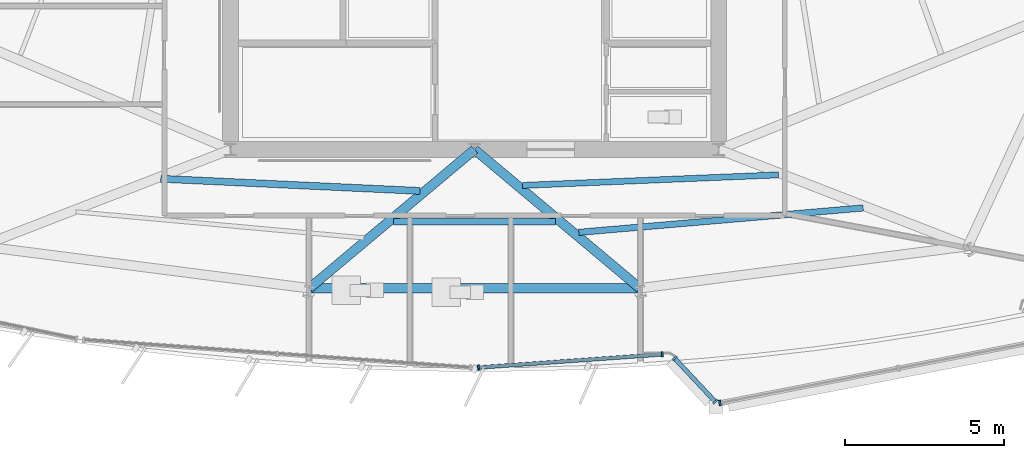
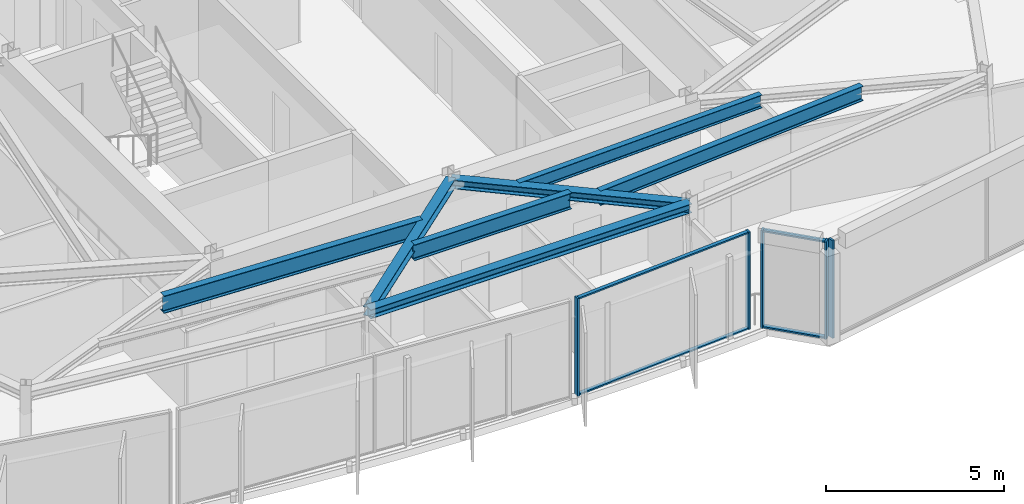
# One storey, part 3 of 13: 9 members, 7 beams, 3 elements without a shape of their own.
"""IFC4 building model written with IfcOpenShell, lengths in metres."""

from ifc_helpers import new_model, si_unit, direction, frame, origin, origin_2d, place, context, subcontext, project, spatial, rectangle, i_section, extrude, material, material_profile, profile_set, type_object, element, aggregate, save


model = new_model("IFC4")

# Units and contexts
model_context = context("Model", 3, precision=1e-05, world=origin(), true_north=direction((0.0, 1.0)))
body_context = subcontext(model_context, "Body", "Model", "MODEL_VIEW")
ifc_project = project(units=[si_unit("LENGTHUNIT", "METRE"), si_unit("AREAUNIT", "SQUARE_METRE"), si_unit("VOLUMEUNIT", "CUBIC_METRE"), si_unit("PLANEANGLEUNIT", "RADIAN"), si_unit("MASSUNIT", "GRAM", prefix="KILO")], contexts=[model_context])

# Site, building, storey
site_placement = place(None, origin())
site = spatial("IfcSite", under=ifc_project, at=site_placement, CompositionType="ELEMENT")
building_placement = place(site_placement, origin())
building = spatial("IfcBuilding", under=site, at=building_placement, Name="Savorim Split Tower", CompositionType="ELEMENT")
storey_placement = place(building_placement, frame((0.0, 0.0, 265.199951171875)))
storey = spatial("IfcBuildingStorey", under=building, at=storey_placement, Name="L70", CompositionType="ELEMENT", Elevation=265.199951171875)

# Beams
ifc_material_1 = material(Name="Steel S355", Category="steel")
ifc_material_profile_1 = material_profile(ifc_material_1, i_section(OverallWidth=0.18994140625, OverallDepth=0.449951171875, WebThickness=0.009521484375, FlangeThickness=0.0146484375, FilletRadius=0.02099609375, at=origin_2d()), Name="IPE 450")
ifc_profile_set_1 = profile_set([ifc_material_profile_1], Name="Steel S355")
beam_type_1 = type_object("IfcBeamType", Name="BM-JST-IPE450", PredefinedType="JOIST", material=ifc_profile_set_1)
beam_1_placement = place(storey_placement, frame((1.515625, -10.531005859375, 3.125), z_axis=(0.999152872265, 0.041152616486, 0.0), x_axis=(-0.041152616486, 0.999152872265, 0.0)))
element("IfcBeam", 1, at=beam_1_placement, inside=storey, type_object=beam_type_1, Name="L70 Secondary Floor Joist JS-05", PredefinedType="JOIST", context=body_context, shape_type="SweptSolid", body=[
    extrude(i_section(OverallWidth=0.18994140625, OverallDepth=0.449951171875, WebThickness=0.009521484375, FlangeThickness=0.0146484375, FilletRadius=0.02099609375, at=origin_2d()), origin(), (0.0, 0.0, 1.0), 8.07421875),
])
ifc_material_profile_2 = material_profile(ifc_material_1, i_section(OverallWidth=0.199951171875, OverallDepth=0.5, WebThickness=0.01025390625, FlangeThickness=0.01611328125, FilletRadius=0.02099609375, at=origin_2d()), Name="IPE 500")
ifc_profile_set_2 = profile_set([ifc_material_profile_2], Name="Steel S355")
beam_type_2 = type_object("IfcBeamType", Name="BM-JST-IPE500", PredefinedType="JOIST", material=ifc_profile_set_2)
beam_2_placement = place(storey_placement, frame((3.287841796875, -12.011474609375, 3.10009765625), z_axis=(0.996338070974, 0.085501159807, 0.0), x_axis=(-0.085501159807, 0.996338070974, 0.0)))
element("IfcBeam", 2, at=beam_2_placement, inside=storey, type_object=beam_type_2, Name="L70 Secondary Floor Joist JS-04", PredefinedType="JOIST", context=body_context, shape_type="SweptSolid", body=[
    extrude(i_section(OverallWidth=0.199951171875, OverallDepth=0.5, WebThickness=0.01025390625, FlangeThickness=0.01611328125, FilletRadius=0.02099609375, at=origin_2d()), origin(), (0.0, 0.0, 1.0), 9.000244140625),
])
ifc_material_profile_3 = material_profile(ifc_material_1, i_section(OverallWidth=0.2099609375, OverallDepth=0.550048828125, WebThickness=0.010986328125, FlangeThickness=0.01708984375, FilletRadius=0.02392578125, at=origin_2d()), Name="IPE 550")
ifc_profile_set_3 = profile_set([ifc_material_profile_3], Name="Steel S355")
beam_type_3 = type_object("IfcBeamType", Name="BM-JST-IPE550", PredefinedType="JOIST", material=ifc_profile_set_3)
beam_3_placement = place(storey_placement, frame((-2.55126953125, -11.675048828125, 3.074951171875), z_axis=(1.0, 0.0, 0.0), x_axis=(0.0, 1.0, 0.0)))
element("IfcBeam", 3, at=beam_3_placement, inside=storey, type_object=beam_type_3, Name="L70 Secondary Floor Joist JS-03", PredefinedType="JOIST", context=body_context, shape_type="SweptSolid", body=[
    extrude(i_section(OverallWidth=0.2099609375, OverallDepth=0.550048828125, WebThickness=0.010986328125, FlangeThickness=0.01708984375, FilletRadius=0.02392578125, at=origin_2d()), origin(), (0.0, 0.0, 1.0), 5.1025390625),
])
ifc_material_profile_4 = material_profile(ifc_material_1, i_section(OverallWidth=0.219970703125, OverallDepth=0.60009765625, WebThickness=0.011962890625, FlangeThickness=0.01904296875, FilletRadius=0.02392578125, at=origin_2d()), Name="IPE 600")
ifc_profile_set_4 = profile_set([ifc_material_profile_4], Name="Steel S355")
beam_type_4 = type_object("IfcBeamType", Name="BM-JST-IPE600", PredefinedType="JOIST", material=ifc_profile_set_4)
beam_4_placement = place(storey_placement, frame((-9.8974609375, -10.321533203125, 3.050048828125), z_axis=(0.998900774427, -0.046874757053, 0.0), x_axis=(0.046874757053, 0.998900774427, 0.0)))
element("IfcBeam", 4, at=beam_4_placement, inside=storey, type_object=beam_type_4, Name="L70 Secondary Floor Joist JS-02", PredefinedType="JOIST", context=body_context, shape_type="SweptSolid", body=[
    extrude(i_section(OverallWidth=0.219970703125, OverallDepth=0.60009765625, WebThickness=0.011962890625, FlangeThickness=0.01904296875, FilletRadius=0.02392578125, at=origin_2d()), origin(), (0.0, 0.0, 1.0), 8.182373046875),
])
ifc_material_profile_5 = material_profile(ifc_material_1, i_section(OverallWidth=0.300048828125, OverallDepth=0.300048828125, WebThickness=0.010986328125, FlangeThickness=0.01904296875, FilletRadius=0.027099609375, at=origin_2d()), Name="HEB 300")
ifc_profile_set_5 = profile_set([ifc_material_profile_5], Name="Steel S355")
beam_type_5 = type_object("IfcBeamType", Name="BM-PRI-HEB300", PredefinedType="BEAM", material=ifc_profile_set_5)
for number, where, z_axis, x_axis, name in (
    (5, (-5.214111328125, -13.775146484375, 3.199951171875), (0.766038276037, 0.642794959257, 0.0), (-0.642794959257, 0.766038276037, 0.0), "L70 Primary Floor Girder RG-02"),
    (6, (5.214111328125, -13.775146484375, 3.199951171875), (-0.766038276037, 0.642794959257, 0.0), (-0.642794959257, -0.766038276037, 0.0), "L70 Primary Floor Girder RG-03"),
):
    element("IfcBeam", number, at=place(storey_placement, frame(where, z_axis=z_axis, x_axis=x_axis)), inside=storey, type_object=beam_type_5, Name=name, PredefinedType="BEAM", context=body_context, shape_type="SweptSolid", body=[
        extrude(i_section(OverallWidth=0.300048828125, OverallDepth=0.300048828125, WebThickness=0.010986328125, FlangeThickness=0.01904296875, FilletRadius=0.027099609375, at=origin_2d()), origin(), (0.0, 0.0, 1.0), 6.806640625),
    ])
ifc_material_profile_6 = material_profile(ifc_material_1, i_section(OverallWidth=0.300048828125, OverallDepth=0.31005859375, WebThickness=0.009033203125, FlangeThickness=0.015380859375, FilletRadius=0.027099609375, at=origin_2d()), Name="HEA 320")
ifc_profile_set_6 = profile_set([ifc_material_profile_6], Name="Steel S355")
beam_type_6 = type_object("IfcBeamType", Name="BM-SPN-HEA320", PredefinedType="SPANDREL", material=ifc_profile_set_6)
beam_5_placement = place(storey_placement, frame((-5.214111328125, -13.775146484375, 3.195068359375), z_axis=(1.0, 0.0, 0.0), x_axis=(0.0, 1.0, 0.0)))
element("IfcBeam", 7, at=beam_5_placement, inside=storey, type_object=beam_type_6, Name="L70 Perimeter Spandrel Beam 2", PredefinedType="SPANDREL", context=body_context, shape_type="SweptSolid", body=[
    extrude(i_section(OverallWidth=0.300048828125, OverallDepth=0.31005859375, WebThickness=0.009033203125, FlangeThickness=0.015380859375, FilletRadius=0.027099609375, at=origin_2d()), origin(), (0.0, 0.0, 1.0), 10.42822265625),
])

# Curtain wall, members
ifc_material_2 = material(Name="Dark Ceramic-Fritted Insulated Glass", Category="glass")
curtain_wall_type_1 = type_object("IfcCurtainWallType", Name="CW-TWR-FRIT-B", PredefinedType="NOTDEFINED", material=ifc_material_2)
curtain_wall_1_placement = place(storey_placement, origin())
curtain_wall_1 = element("IfcCurtainWall", 8, at=curtain_wall_1_placement, inside=storey, type_object=curtain_wall_type_1, Name="L70 Curtain Wall CW-L70-SF3A", PredefinedType="NOTDEFINED")
ifc_material_3 = material(Name="Charcoal Anodised Aluminium", Category="aluminium")
ifc_material_profile_7 = material_profile(ifc_material_3, rectangle(XDim=0.159912109375, YDim=0.06005859375, at=origin_2d()), Name="ALU-M 160x60")
ifc_profile_set_7 = profile_set([ifc_material_profile_7], Name="Charcoal Anodised Aluminium")
member_type_1 = type_object("IfcMemberType", Name="CWM-160x60", PredefinedType="MULLION", material=ifc_profile_set_7)
member_1_placement = place(storey_placement, frame((0.12109375, -16.274169921875, 0.0), z_axis=(0.0, 0.0, 1.0), x_axis=(-0.071571445854, 0.997435475677, 0.0)))
member_1 = element("IfcMember", 9, at=member_1_placement, type_object=member_type_1, Name="CW-03 mullion 1", PredefinedType="MULLION", context=body_context, shape_type="SweptSolid", body=[
    extrude(rectangle(XDim=0.159912109375, YDim=0.06005859375, at=origin_2d()), origin(), (0.0, 0.0, 1.0), 3.35009765625),
])
member_2_placement = place(storey_placement, frame((5.917236328125, -15.8583984375, 0.0), z_axis=(0.0, 0.0, 1.0), x_axis=(-0.071571445854, 0.997435475677, 0.0)))
member_2 = element("IfcMember", 10, at=member_2_placement, type_object=member_type_1, Name="CW-03 mullion 2", PredefinedType="MULLION", context=body_context, shape_type="SweptSolid", body=[
    extrude(rectangle(XDim=0.159912109375, YDim=0.06005859375, at=origin_2d()), origin(), (0.0, 0.0, 1.0), 3.35009765625),
])

# Curtain wall, member
curtain_wall_type_2 = type_object("IfcCurtainWallType", Name="CW-BAY-LOUNGE", PredefinedType="NOTDEFINED", material=ifc_material_2)
curtain_wall_2_placement = place(storey_placement, origin())
curtain_wall_2 = element("IfcCurtainWall", 11, at=curtain_wall_2_placement, inside=storey, type_object=curtain_wall_type_2, Name="L70 Curtain Wall CW-L70-BAYF", PredefinedType="NOTDEFINED")
ifc_material_profile_8 = material_profile(ifc_material_3, rectangle(XDim=0.179931640625, YDim=0.06494140625, at=origin_2d()), Name="ALU-M 180x65")
ifc_profile_set_8 = profile_set([ifc_material_profile_8], Name="Charcoal Anodised Aluminium")
member_type_2 = type_object("IfcMemberType", Name="CWM-180x65", PredefinedType="MULLION", material=ifc_profile_set_8)
member_3_placement = place(storey_placement, frame((7.738525390625, -17.39013671875, 0.0), z_axis=(0.0, 0.0, 1.0), x_axis=(-0.190519987082, 0.98168331682, 0.0)))
member_3 = element("IfcMember", 12, at=member_3_placement, type_object=member_type_2, Name="CW-04 mullion 1", PredefinedType="MULLION", context=body_context, shape_type="SweptSolid", body=[
    extrude(rectangle(XDim=0.179931640625, YDim=0.06494140625, at=origin_2d()), origin(), (0.0, 0.0, 1.0), 3.35009765625),
])
aggregate(curtain_wall_2, [member_3])

# Curtain wall, members
curtain_wall_3_placement = place(storey_placement, origin())
curtain_wall_3 = element("IfcCurtainWall", 13, at=curtain_wall_3_placement, inside=storey, type_object=curtain_wall_type_2, Name="L70 Curtain Wall CW-L70-BAYW", PredefinedType="NOTDEFINED")
member_4_placement = place(storey_placement, frame((6.307861328125, -15.984130859375, 0.0), z_axis=(0.0, 0.0, 1.0), x_axis=(0.729622392738, 0.6838502497, 0.0)))
member_4 = element("IfcMember", 14, at=member_4_placement, type_object=member_type_2, Name="CW-04 mullion 1", PredefinedType="MULLION", context=body_context, shape_type="SweptSolid", body=[
    extrude(rectangle(XDim=0.179931640625, YDim=0.06494140625, at=origin_2d()), origin(), (0.0, 0.0, 1.0), 3.35009765625),
])
member_5_placement = place(storey_placement, frame((7.590087890625, -17.352294921875, 0.0), z_axis=(0.0, 0.0, 1.0), x_axis=(0.729622392738, 0.6838502497, 0.0)))
member_5 = element("IfcMember", 15, at=member_5_placement, type_object=member_type_2, Name="CW-04 mullion 2", PredefinedType="MULLION", context=body_context, shape_type="SweptSolid", body=[
    extrude(rectangle(XDim=0.179931640625, YDim=0.06494140625, at=origin_2d()), origin(), (0.0, 0.0, 1.0), 3.35009765625),
])

# Member
ifc_material_profile_9 = material_profile(ifc_material_3, rectangle(XDim=0.1201171875, YDim=0.050048828125, at=origin_2d()), Name="ALU-T 120x50")
ifc_profile_set_9 = profile_set([ifc_material_profile_9], Name="Charcoal Anodised Aluminium")
member_type_3 = type_object("IfcMemberType", Name="CWT-120x50", PredefinedType="USERDEFINED", material=ifc_profile_set_9)
member_6_placement = place(storey_placement, frame((0.151123046875, -16.272216796875, 0.025146484375), z_axis=(0.997435373831, 0.07157286518, 0.0), x_axis=(-0.07157286518, 0.997435373831, 0.0)))
member_6 = element("IfcMember", 16, at=member_6_placement, type_object=member_type_3, Name="CW-03 transom 1.1", ObjectType="TRANSOM", PredefinedType="USERDEFINED", context=body_context, shape_type="SweptSolid", body=[
    extrude(rectangle(XDim=0.1201171875, YDim=0.050048828125, at=origin_2d()), origin(), (0.0, 0.0, 1.0), 5.7509765625),
])

member_7_placement = place(storey_placement, frame((0.151123046875, -16.272216796875, 3.324951171875), z_axis=(0.997435373831, 0.07157286518, 0.0), x_axis=(-0.07157286518, 0.997435373831, 0.0)))
member_7 = element("IfcMember", 17, at=member_7_placement, type_object=member_type_3, Name="CW-03 transom 1.2", ObjectType="TRANSOM", PredefinedType="USERDEFINED", context=body_context, shape_type="SweptSolid", body=[
    extrude(rectangle(XDim=0.1201171875, YDim=0.050048828125, at=origin_2d()), origin(), (0.0, 0.0, 1.0), 5.7509765625),
])

aggregate(curtain_wall_1, [member_1, member_2, member_6, member_7])

ifc_material_profile_10 = material_profile(ifc_material_3, rectangle(XDim=0.139892578125, YDim=0.054931640625, at=origin_2d()), Name="ALU-T 140x55")
ifc_profile_set_10 = profile_set([ifc_material_profile_10], Name="Charcoal Anodised Aluminium")
member_type_4 = type_object("IfcMemberType", Name="CWT-140x55", PredefinedType="USERDEFINED", material=ifc_profile_set_10)
member_8_placement = place(storey_placement, frame((6.330078125, -16.0078125, 0.027587890625), z_axis=(0.683806524561, -0.729663372362, 0.0), x_axis=(0.729663372362, 0.683806524561, 0.0)))
member_8 = element("IfcMember", 18, at=member_8_placement, type_object=member_type_4, Name="CW-04 transom 1.1", ObjectType="TRANSOM", PredefinedType="USERDEFINED", context=body_context, shape_type="SweptSolid", body=[
    extrude(rectangle(XDim=0.139892578125, YDim=0.054931640625, at=origin_2d()), origin(), (0.0, 0.0, 1.0), 1.81005859375),
])

member_9_placement = place(storey_placement, frame((6.330078125, -16.0078125, 3.322509765625), z_axis=(0.683806524561, -0.729663372362, 0.0), x_axis=(0.729663372362, 0.683806524561, 0.0)))
member_9 = element("IfcMember", 19, at=member_9_placement, type_object=member_type_4, Name="CW-04 transom 1.2", ObjectType="TRANSOM", PredefinedType="USERDEFINED", context=body_context, shape_type="SweptSolid", body=[
    extrude(rectangle(XDim=0.139892578125, YDim=0.054931640625, at=origin_2d()), origin(), (0.0, 0.0, 1.0), 1.81005859375),
])

aggregate(curtain_wall_3, [member_4, member_5, member_8, member_9])

save(model, "model.ifc")
